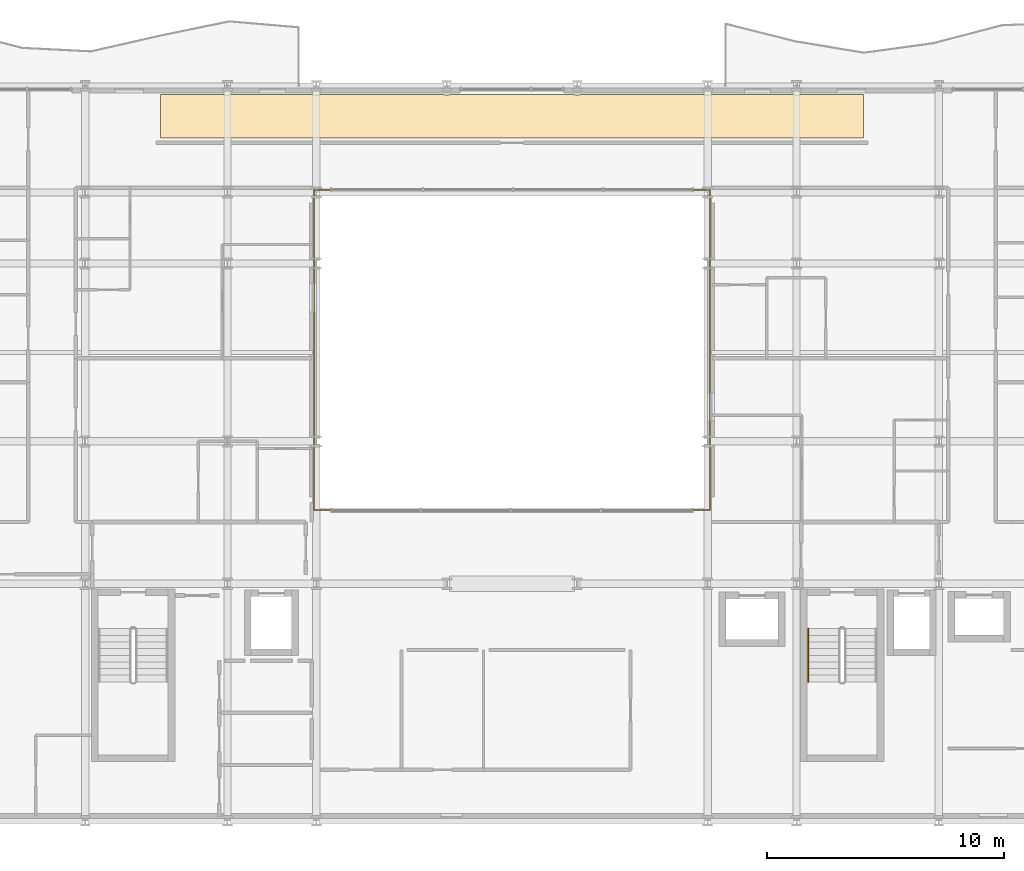
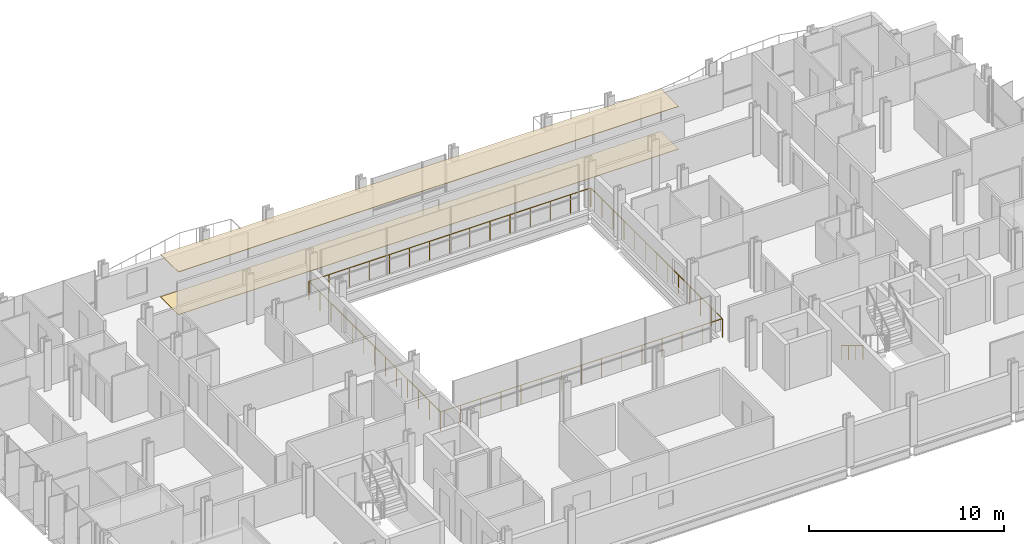
# One storey, part 36 of 38: 3 railings, 2 coverings.
"""IFC4 building model written with IfcOpenShell, lengths in metres."""

from ifc_helpers import new_model, si_unit, direction, frame, origin, origin_2d, place, context, subcontext, project, spatial, polyline, circle, outline, extrude, material, layer, layer_set, type_object, element, save


model = new_model("IFC4")

# Units and contexts
model_context = context("Model", 3, precision=1e-05, world=origin(), true_north=direction((0.0, 1.0)))
body_context = subcontext(model_context, "Body", "Model", "MODEL_VIEW")
ifc_project = project(units=[si_unit("LENGTHUNIT", "METRE"), si_unit("AREAUNIT", "SQUARE_METRE"), si_unit("VOLUMEUNIT", "CUBIC_METRE"), si_unit("PLANEANGLEUNIT", "RADIAN"), si_unit("MASSUNIT", "GRAM", prefix="KILO")], contexts=[model_context])

# Site, building, storey
site_placement = place(None, origin())
site = spatial("IfcSite", under=ifc_project, at=site_placement, CompositionType="ELEMENT")
building_placement = place(site_placement, origin())
building = spatial("IfcBuilding", under=site, at=building_placement, Name="Brevholm Reach", CompositionType="ELEMENT")
storey_placement = place(building_placement, frame((0.0, 0.0, 52.800048828125)))
storey = spatial("IfcBuildingStorey", under=building, at=storey_placement, Name="L14", CompositionType="ELEMENT", Elevation=52.800048828125)

# Coverings
ifc_material_1 = material(Name="Moisture-Resistant Skimmed Gypsum Plasterboard Ceiling", Category="gypsum")
ifc_layer_1 = layer(ifc_material_1, 0.030029296875)
ifc_layer_set_1 = layer_set([ifc_layer_1], Name="Moisture-Resistant Skimmed Gypsum Plasterboard Ceiling")
covering_type_1 = type_object("IfcCoveringType", Name="COV-CLG-GYP", PredefinedType="CEILING", material=ifc_layer_set_1)
covering_1_placement = place(storey_placement, frame((0.0, 0.0, 2.669921875)))
element("IfcCovering", 1, at=covering_1_placement, inside=storey, type_object=covering_type_1, Name="L14 Suspended Ceiling L14-70", PredefinedType="CEILING", context=body_context, shape_type="SweptSolid", body=[
    extrude(outline(polyline([(15.179931640625, 30.6201171875), (17.876220703125, 30.6201171875), (17.8837890625, 30.6171875), (17.922119140625, 30.607666015625), (17.960693359375, 30.601806640625), (18.0, 30.60009765625), (18.039306640625, 30.601806640625), (18.077880859375, 30.607666015625), (18.1162109375, 30.6171875), (18.123779296875, 30.6201171875), (21.626220703125, 30.6201171875), (21.6337890625, 30.6171875), (21.672119140625, 30.607666015625), (21.710693359375, 30.601806640625), (21.75, 30.60009765625), (21.789306640625, 30.601806640625), (21.827880859375, 30.607666015625), (21.8662109375, 30.6171875), (21.873779296875, 30.6201171875), (27.126220703125, 30.6201171875), (27.1337890625, 30.6171875), (27.172119140625, 30.607666015625), (27.210693359375, 30.601806640625), (27.25, 30.60009765625), (27.289306640625, 30.601806640625), (27.327880859375, 30.607666015625), (27.3662109375, 30.6171875), (27.373779296875, 30.6201171875), (32.626220703125, 30.6201171875), (32.6337890625, 30.6171875), (32.672119140625, 30.607666015625), (32.710693359375, 30.601806640625), (32.75, 30.60009765625), (32.789306640625, 30.601806640625), (32.827880859375, 30.607666015625), (32.8662109375, 30.6171875), (32.873779296875, 30.6201171875), (38.126220703125, 30.6201171875), (38.1337890625, 30.6171875), (38.172119140625, 30.607666015625), (38.210693359375, 30.601806640625), (38.25, 30.60009765625), (38.289306640625, 30.601806640625), (38.327880859375, 30.607666015625), (38.3662109375, 30.6171875), (38.373779296875, 30.6201171875), (41.876220703125, 30.6201171875), (41.8837890625, 30.6171875), (41.922119140625, 30.607666015625), (41.960693359375, 30.601806640625), (42.0, 30.60009765625), (42.039306640625, 30.601806640625), (42.077880859375, 30.607666015625), (42.1162109375, 30.6171875), (42.123779296875, 30.6201171875), (44.820068359375, 30.6201171875), (44.820068359375, 28.783935546875), (15.179931640625, 28.783935546875), (15.179931640625, 30.6201171875)])), origin(), (0.0, 0.0, 1.0), 0.030029296875),
])
ifc_material_2 = material(Name="Honed Portland-Aggregate Resin Terrazzo Flooring", Category="concrete")
ifc_layer_2 = layer(ifc_material_2, 0.031982421875)
ifc_layer_set_2 = layer_set([ifc_layer_2], Name="Honed Portland-Aggregate Resin Terrazzo Flooring")
covering_type_2 = type_object("IfcCoveringType", Name="COV-FLR-TRZ", PredefinedType="FLOORING", material=ifc_layer_set_2)
covering_2_placement = place(storey_placement, origin())
element("IfcCovering", 2, at=covering_2_placement, inside=storey, type_object=covering_type_2, Name="L14 Floor Finish L14-70", PredefinedType="FLOORING", context=body_context, shape_type="SweptSolid", body=[
    extrude(outline(polyline([(15.179931640625, 30.6201171875), (17.876220703125, 30.6201171875), (17.8837890625, 30.6171875), (17.922119140625, 30.607666015625), (17.960693359375, 30.601806640625), (18.0, 30.60009765625), (18.039306640625, 30.601806640625), (18.077880859375, 30.607666015625), (18.1162109375, 30.6171875), (18.123779296875, 30.6201171875), (21.626220703125, 30.6201171875), (21.6337890625, 30.6171875), (21.672119140625, 30.607666015625), (21.710693359375, 30.601806640625), (21.75, 30.60009765625), (21.789306640625, 30.601806640625), (21.827880859375, 30.607666015625), (21.8662109375, 30.6171875), (21.873779296875, 30.6201171875), (27.126220703125, 30.6201171875), (27.1337890625, 30.6171875), (27.172119140625, 30.607666015625), (27.210693359375, 30.601806640625), (27.25, 30.60009765625), (27.289306640625, 30.601806640625), (27.327880859375, 30.607666015625), (27.3662109375, 30.6171875), (27.373779296875, 30.6201171875), (32.626220703125, 30.6201171875), (32.6337890625, 30.6171875), (32.672119140625, 30.607666015625), (32.710693359375, 30.601806640625), (32.75, 30.60009765625), (32.789306640625, 30.601806640625), (32.827880859375, 30.607666015625), (32.8662109375, 30.6171875), (32.873779296875, 30.6201171875), (38.126220703125, 30.6201171875), (38.1337890625, 30.6171875), (38.172119140625, 30.607666015625), (38.210693359375, 30.601806640625), (38.25, 30.60009765625), (38.289306640625, 30.601806640625), (38.327880859375, 30.607666015625), (38.3662109375, 30.6171875), (38.373779296875, 30.6201171875), (41.876220703125, 30.6201171875), (41.8837890625, 30.6171875), (41.922119140625, 30.607666015625), (41.960693359375, 30.601806640625), (42.0, 30.60009765625), (42.039306640625, 30.601806640625), (42.077880859375, 30.607666015625), (42.1162109375, 30.6171875), (42.123779296875, 30.6201171875), (44.820068359375, 30.6201171875), (44.820068359375, 28.783935546875), (15.179931640625, 28.783935546875), (15.179931640625, 30.6201171875)])), origin(), (0.0, 0.0, 1.0), 0.031982421875),
])

# Railings
ifc_material_3 = material(Name="Brushed Stainless Steel EN 1.4401 Continuous Handrail", Category="steel")
railing_type_1 = type_object("IfcRailingType", Name="RAL-HND-950", PredefinedType="HANDRAIL", material=ifc_material_3)
railing_1_placement = place(storey_placement, frame((42.5, 8.10009765625, 0.172119140625)))
element("IfcRailing", 3, at=railing_1_placement, inside=storey, type_object=railing_type_1, Name="L14 ST-2 stair handrail 1", PredefinedType="HANDRAIL", context=body_context, shape_type="SweptSolid", body=[
    extrude(circle(Radius=0.02392578125, at=origin_2d()), frame((0.0, 0.0, 0.8857421875), z_axis=(0.0, -0.851747552033, 0.523952390591), x_axis=(1.0, 0.0, 0.0)), (0.0, 0.0, 1.0), 2.6298828125),
    extrude(circle(Radius=0.02099609375, at=origin_2d()), origin(), (0.0, 0.0, 1.0), 0.86181640625),
    extrude(circle(Radius=0.02099609375, at=origin_2d()), frame((0.0, -0.74658203125, 0.459228515625)), (0.0, 0.0, 1.0), 0.86181640625),
    extrude(circle(Radius=0.02099609375, at=origin_2d()), frame((0.0, -1.493408203125, 0.918701171875)), (0.0, 0.0, 1.0), 0.86181640625),
    extrude(circle(Radius=0.02099609375, at=origin_2d()), frame((0.0, -2.239990234375, 1.3779296875)), (0.0, 0.0, 1.0), 0.86181640625),
])
ifc_material_4 = material(Name="Brushed Stainless Steel EN 1.4401 and Laminated Glass", Category="steel")
railing_type_2 = type_object("IfcRailingType", Name="RAL-TERR-1200", PredefinedType="BALUSTRADE", material=ifc_material_4)
railing_2_placement = place(storey_placement, frame((21.64990234375, 13.10009765625, 0.0)))
element("IfcRailing", 4, at=railing_2_placement, inside=storey, type_object=railing_type_2, Name="L14 Guard Balustrade RAL-L14-AT-VOID-SW", PredefinedType="BALUSTRADE", context=body_context, shape_type="SweptSolid", body=[
    extrude(circle(Radius=0.02392578125, at=origin_2d()), frame((0.0, 0.0, 1.17578125), z_axis=(1.0, 0.0, 0.0), x_axis=(0.0, 1.0, 0.0)), (0.0, 0.0, 1.0), 16.7001953125),
    extrude(circle(Radius=0.02392578125, at=origin_2d()), frame((16.7001953125, 0.0, 1.17578125), z_axis=(0.0, 1.0, 0.0), x_axis=(-1.0, 0.0, 0.0)), (0.0, 0.0, 1.0), 13.47998046875),
    extrude(circle(Radius=0.02099609375, at=origin_2d()), origin(), (0.0, 0.0, 1.0), 1.15185546875),
    extrude(circle(Radius=0.02099609375, at=origin_2d()), frame((1.19287109375, 0.0, 0.0)), (0.0, 0.0, 1.0), 1.15185546875),
    extrude(circle(Radius=0.02099609375, at=origin_2d()), frame((2.3857421875, 0.0, 0.0)), (0.0, 0.0, 1.0), 1.15185546875),
    extrude(circle(Radius=0.02099609375, at=origin_2d()), frame((3.57861328125, 0.0, 0.0)), (0.0, 0.0, 1.0), 1.15185546875),
    extrude(circle(Radius=0.02099609375, at=origin_2d()), frame((4.771484375, 0.0, 0.0)), (0.0, 0.0, 1.0), 1.15185546875),
    extrude(circle(Radius=0.02099609375, at=origin_2d()), frame((5.96435546875, 0.0, 0.0)), (0.0, 0.0, 1.0), 1.15185546875),
    extrude(circle(Radius=0.02099609375, at=origin_2d()), frame((7.1572265625, 0.0, 0.0)), (0.0, 0.0, 1.0), 1.15185546875),
    extrude(circle(Radius=0.02099609375, at=origin_2d()), frame((8.35009765625, 0.0, 0.0)), (0.0, 0.0, 1.0), 1.15185546875),
    extrude(circle(Radius=0.02099609375, at=origin_2d()), frame((9.54296875, 0.0, 0.0)), (0.0, 0.0, 1.0), 1.15185546875),
    extrude(circle(Radius=0.02099609375, at=origin_2d()), frame((10.73583984375, 0.0, 0.0)), (0.0, 0.0, 1.0), 1.15185546875),
    extrude(circle(Radius=0.02099609375, at=origin_2d()), frame((11.9287109375, 0.0, 0.0)), (0.0, 0.0, 1.0), 1.15185546875),
    extrude(circle(Radius=0.02099609375, at=origin_2d()), frame((13.12158203125, 0.0, 0.0)), (0.0, 0.0, 1.0), 1.15185546875),
    extrude(circle(Radius=0.02099609375, at=origin_2d()), frame((14.314453125, 0.0, 0.0)), (0.0, 0.0, 1.0), 1.15185546875),
    extrude(circle(Radius=0.02099609375, at=origin_2d()), frame((15.50732421875, 0.0, 0.0)), (0.0, 0.0, 1.0), 1.15185546875),
    extrude(circle(Radius=0.02099609375, at=origin_2d()), frame((16.7001953125, 0.0, 0.0)), (0.0, 0.0, 1.0), 1.15185546875),
    extrude(circle(Radius=0.02099609375, at=origin_2d()), frame((16.7001953125, 1.123291015625, 0.0)), (0.0, 0.0, 1.0), 1.15185546875),
    extrude(circle(Radius=0.02099609375, at=origin_2d()), frame((16.7001953125, 2.24658203125, 0.0)), (0.0, 0.0, 1.0), 1.15185546875),
    extrude(circle(Radius=0.02099609375, at=origin_2d()), frame((16.7001953125, 3.3701171875, 0.0)), (0.0, 0.0, 1.0), 1.15185546875),
    extrude(circle(Radius=0.02099609375, at=origin_2d()), frame((16.7001953125, 4.493408203125, 0.0)), (0.0, 0.0, 1.0), 1.15185546875),
    extrude(circle(Radius=0.02099609375, at=origin_2d()), frame((16.7001953125, 5.61669921875, 0.0)), (0.0, 0.0, 1.0), 1.15185546875),
    extrude(circle(Radius=0.02099609375, at=origin_2d()), frame((16.7001953125, 6.739990234375, 0.0)), (0.0, 0.0, 1.0), 1.15185546875),
    extrude(circle(Radius=0.02099609375, at=origin_2d()), frame((16.7001953125, 7.86328125, 0.0)), (0.0, 0.0, 1.0), 1.15185546875),
    extrude(circle(Radius=0.02099609375, at=origin_2d()), frame((16.7001953125, 8.986572265625, 0.0)), (0.0, 0.0, 1.0), 1.15185546875),
    extrude(circle(Radius=0.02099609375, at=origin_2d()), frame((16.7001953125, 10.10986328125, 0.0)), (0.0, 0.0, 1.0), 1.15185546875),
    extrude(circle(Radius=0.02099609375, at=origin_2d()), frame((16.7001953125, 11.2333984375, 0.0)), (0.0, 0.0, 1.0), 1.15185546875),
    extrude(circle(Radius=0.02099609375, at=origin_2d()), frame((16.7001953125, 12.356689453125, 0.0)), (0.0, 0.0, 1.0), 1.15185546875),
    extrude(circle(Radius=0.02099609375, at=origin_2d()), frame((16.7001953125, 13.47998046875, 0.0)), (0.0, 0.0, 1.0), 1.15185546875),
])
railing_3_placement = place(storey_placement, frame((38.330078125, 26.60009765625, 0.0)))
element("IfcRailing", 5, at=railing_3_placement, inside=storey, type_object=railing_type_2, Name="L14 Guard Balustrade RAL-L14-AT-VOID-NE", PredefinedType="BALUSTRADE", context=body_context, shape_type="SweptSolid", body=[
    extrude(circle(Radius=0.02392578125, at=origin_2d()), frame((0.0, 0.0, 1.17578125), z_axis=(-1.0, 0.0, 0.0), x_axis=(0.0, -1.0, 0.0)), (0.0, 0.0, 1.0), 16.68017578125),
    extrude(circle(Radius=0.02392578125, at=origin_2d()), frame((-16.68017578125, 0.0, 1.17578125), z_axis=(0.0, -1.0, 0.0), x_axis=(1.0, 0.0, 0.0)), (0.0, 0.0, 1.0), 13.47998046875),
    extrude(circle(Radius=0.02099609375, at=origin_2d()), origin(), (0.0, 0.0, 1.0), 1.15185546875),
    extrude(circle(Radius=0.02099609375, at=origin_2d()), frame((-1.19140625, 0.0, 0.0)), (0.0, 0.0, 1.0), 1.15185546875),
    extrude(circle(Radius=0.02099609375, at=origin_2d()), frame((-2.3828125, 0.0, 0.0)), (0.0, 0.0, 1.0), 1.15185546875),
    extrude(circle(Radius=0.02099609375, at=origin_2d()), frame((-3.57421875, 0.0, 0.0)), (0.0, 0.0, 1.0), 1.15185546875),
    extrude(circle(Radius=0.02099609375, at=origin_2d()), frame((-4.765869140625, 0.0, 0.0)), (0.0, 0.0, 1.0), 1.15185546875),
    extrude(circle(Radius=0.02099609375, at=origin_2d()), frame((-5.957275390625, 0.0, 0.0)), (0.0, 0.0, 1.0), 1.15185546875),
    extrude(circle(Radius=0.02099609375, at=origin_2d()), frame((-7.148681640625, 0.0, 0.0)), (0.0, 0.0, 1.0), 1.15185546875),
    extrude(circle(Radius=0.02099609375, at=origin_2d()), frame((-8.340087890625, 0.0, 0.0)), (0.0, 0.0, 1.0), 1.15185546875),
    extrude(circle(Radius=0.02099609375, at=origin_2d()), frame((-9.531494140625, 0.0, 0.0)), (0.0, 0.0, 1.0), 1.15185546875),
    extrude(circle(Radius=0.02099609375, at=origin_2d()), frame((-10.722900390625, 0.0, 0.0)), (0.0, 0.0, 1.0), 1.15185546875),
    extrude(circle(Radius=0.02099609375, at=origin_2d()), frame((-11.914306640625, 0.0, 0.0)), (0.0, 0.0, 1.0), 1.15185546875),
    extrude(circle(Radius=0.02099609375, at=origin_2d()), frame((-13.10595703125, 0.0, 0.0)), (0.0, 0.0, 1.0), 1.15185546875),
    extrude(circle(Radius=0.02099609375, at=origin_2d()), frame((-14.29736328125, 0.0, 0.0)), (0.0, 0.0, 1.0), 1.15185546875),
    extrude(circle(Radius=0.02099609375, at=origin_2d()), frame((-15.48876953125, 0.0, 0.0)), (0.0, 0.0, 1.0), 1.15185546875),
    extrude(circle(Radius=0.02099609375, at=origin_2d()), frame((-16.68017578125, 0.0, 0.0)), (0.0, 0.0, 1.0), 1.15185546875),
    extrude(circle(Radius=0.02099609375, at=origin_2d()), frame((-16.68017578125, -1.123291015625, 0.0)), (0.0, 0.0, 1.0), 1.15185546875),
    extrude(circle(Radius=0.02099609375, at=origin_2d()), frame((-16.68017578125, -2.24658203125, 0.0)), (0.0, 0.0, 1.0), 1.15185546875),
    extrude(circle(Radius=0.02099609375, at=origin_2d()), frame((-16.68017578125, -3.3701171875, 0.0)), (0.0, 0.0, 1.0), 1.15185546875),
    extrude(circle(Radius=0.02099609375, at=origin_2d()), frame((-16.68017578125, -4.493408203125, 0.0)), (0.0, 0.0, 1.0), 1.15185546875),
    extrude(circle(Radius=0.02099609375, at=origin_2d()), frame((-16.68017578125, -5.61669921875, 0.0)), (0.0, 0.0, 1.0), 1.15185546875),
    extrude(circle(Radius=0.02099609375, at=origin_2d()), frame((-16.68017578125, -6.739990234375, 0.0)), (0.0, 0.0, 1.0), 1.15185546875),
    extrude(circle(Radius=0.02099609375, at=origin_2d()), frame((-16.68017578125, -7.86328125, 0.0)), (0.0, 0.0, 1.0), 1.15185546875),
    extrude(circle(Radius=0.02099609375, at=origin_2d()), frame((-16.68017578125, -8.986572265625, 0.0)), (0.0, 0.0, 1.0), 1.15185546875),
    extrude(circle(Radius=0.02099609375, at=origin_2d()), frame((-16.68017578125, -10.10986328125, 0.0)), (0.0, 0.0, 1.0), 1.15185546875),
    extrude(circle(Radius=0.02099609375, at=origin_2d()), frame((-16.68017578125, -11.2333984375, 0.0)), (0.0, 0.0, 1.0), 1.15185546875),
    extrude(circle(Radius=0.02099609375, at=origin_2d()), frame((-16.68017578125, -12.356689453125, 0.0)), (0.0, 0.0, 1.0), 1.15185546875),
    extrude(circle(Radius=0.02099609375, at=origin_2d()), frame((-16.68017578125, -13.47998046875, 0.0)), (0.0, 0.0, 1.0), 1.15185546875),
])

save(model, "model.ifc")
